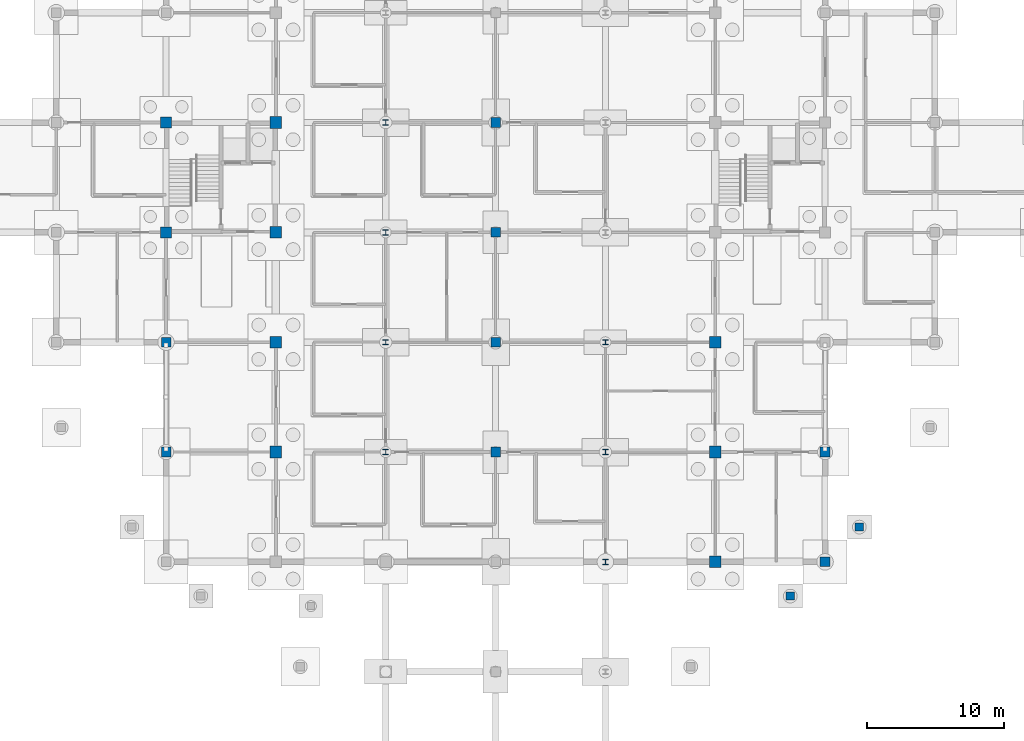
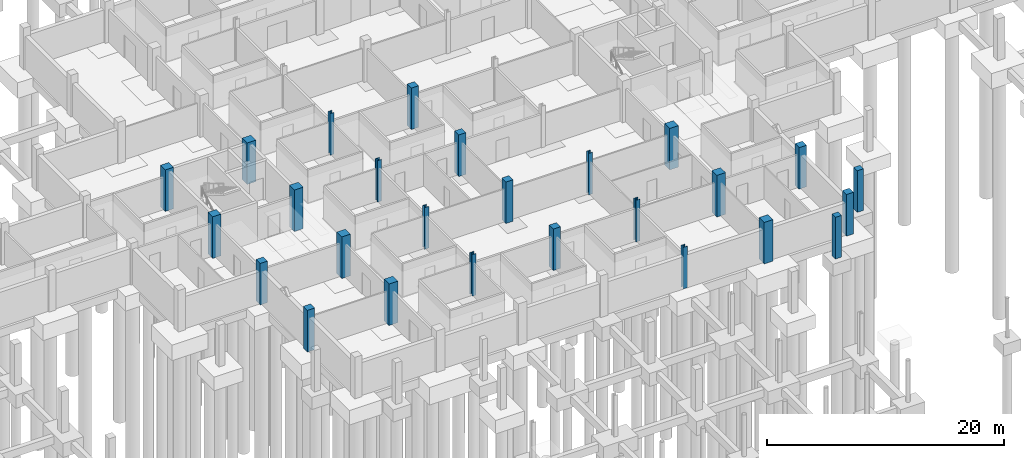
# One storey, part 17 of 48: 26 columns.
"""IFC4 building model written with IfcOpenShell, lengths in metres."""

from ifc_helpers import new_model, si_unit, derived_unit, direction, frame, origin, origin_2d, place, context, subcontext, project, spatial, rectangle, i_section, extrude, material, material_profile, profile_set, type_object, element, save


model = new_model("IFC4")

# Units and contexts
model_context = context("Model", 3, precision=1e-05, world=origin(), true_north=direction((0.0, 1.0)))
body_context = subcontext(model_context, "Body", "Model", "MODEL_VIEW")
ifc_project = project(units=[si_unit("LENGTHUNIT", "METRE"), si_unit("AREAUNIT", "SQUARE_METRE"), si_unit("VOLUMEUNIT", "CUBIC_METRE"), si_unit("PLANEANGLEUNIT", "RADIAN"), si_unit("MASSUNIT", "GRAM", prefix="KILO"), derived_unit("THERMALTRANSMITTANCEUNIT", [(si_unit("MASSUNIT", "GRAM", prefix="KILO"), 1), (si_unit("TIMEUNIT", "SECOND"), -3), (si_unit("THERMODYNAMICTEMPERATUREUNIT", "KELVIN"), -1)])], contexts=[model_context])

# Site, building, storey
site_placement = place(None, origin())
site = spatial("IfcSite", under=ifc_project, at=site_placement, CompositionType="ELEMENT")
building_placement = place(site_placement, origin())
building = spatial("IfcBuilding", under=site, at=building_placement, Name="Veyamyaing Civic Hall", CompositionType="ELEMENT")
storey_placement = place(building_placement, frame((0.0, 0.0, -4.2900390625)))
storey = spatial("IfcBuildingStorey", under=building, at=storey_placement, Name="B1", CompositionType="ELEMENT", Elevation=-4.2900390625)

# Columns
ifc_material_1 = material(Name="Concrete C45/55", Category="concrete")
ifc_material_profile_1 = material_profile(ifc_material_1, rectangle(XDim=0.85009765625, YDim=0.85009765625, at=origin_2d()), Name="RC-COL-850X850")
ifc_profile_set_1 = profile_set([ifc_material_profile_1], Name="Concrete C45/55")
column_type_1 = type_object("IfcColumnType", Name="C-01", PredefinedType="COLUMN", material=ifc_profile_set_1)
for number, where, z_axis, x_axis, name in (
    (1, (72.0, 32.0, 0.0), (0.0, 0.0, 1.0), (1.0, 0.0, 0.0), "Column C-01 10-E B1"),
    (2, (72.0, 40.0, 0.0), (0.0, 0.0, 1.0), (1.0, 0.0, 0.0), "Column C-01 10-F B1"),
    (3, (72.0, 48.0, 0.0), (0.0, 0.0, 1.0), (1.0, 0.0, 0.0), "Column C-01 10-G B1"),
    (4, (72.0, 56.0, 0.0), (0.0, 0.0, 1.0), (1.0, 0.0, 0.0), "Column C-01 10-H B1"),
    (5, (104.0, 24.0, 0.0), (0.0, 0.0, 1.0), (1.0, 0.0, 0.0), "Column C-01 14-D B1"),
    (6, (104.0, 32.0, 0.0), (0.0, 0.0, 1.0), (1.0, 0.0, 0.0), "Column C-01 14-E B1"),
    (7, (104.0, 40.0, 0.0), (0.0, 0.0, 1.0), (1.0, 0.0, 0.0), "Column C-01 14-F B1"),
):
    element("IfcColumn", number, at=place(storey_placement, frame(where, z_axis=z_axis, x_axis=x_axis)), inside=storey, type_object=column_type_1, Name=name, PredefinedType="COLUMN", context=body_context, shape_type="SweptSolid", body=[
        extrude(rectangle(XDim=0.85009765625, YDim=0.85009765625, at=origin_2d()), origin(), (0.0, 0.0, 1.0), 4.2900390625),
    ])
ifc_material_profile_2 = material_profile(ifc_material_1, rectangle(XDim=0.800048828125, YDim=0.800048828125, at=origin_2d()), Name="RC-COL-800X800")
ifc_profile_set_2 = profile_set([ifc_material_profile_2], Name="Concrete C45/55")
column_type_2 = type_object("IfcColumnType", Name="C-02", PredefinedType="COLUMN", material=ifc_profile_set_2)
for number, where, z_axis, x_axis, name in (
    (8, (64.0, 48.0, 0.0), (0.0, 0.0, 1.0), (1.0, 0.0, 0.0), "Column C-02 9-G B1"),
    (9, (64.0, 56.0, 0.0), (0.0, 0.0, 1.0), (1.0, 0.0, 0.0), "Column C-02 9-H B1"),
):
    element("IfcColumn", number, at=place(storey_placement, frame(where, z_axis=z_axis, x_axis=x_axis)), inside=storey, type_object=column_type_2, Name=name, PredefinedType="COLUMN", context=body_context, shape_type="SweptSolid", body=[
        extrude(rectangle(XDim=0.800048828125, YDim=0.800048828125, at=origin_2d()), origin(), (0.0, 0.0, 1.0), 4.2900390625),
    ])
ifc_material_profile_3 = material_profile(ifc_material_1, rectangle(XDim=0.699951171875, YDim=0.699951171875, at=origin_2d()), Name="RC-COL-700X700")
ifc_profile_set_3 = profile_set([ifc_material_profile_3], Name="Concrete C45/55")
column_type_3 = type_object("IfcColumnType", Name="C-04", PredefinedType="COLUMN", material=ifc_profile_set_3)
for number, where, z_axis, x_axis, name in (
    (10, (64.0, 32.0, 0.0), (0.0, 0.0, 1.0), (1.0, 0.0, 0.0), "Column C-04 9-E B1"),
    (11, (64.0, 40.0, 0.0), (0.0, 0.0, 1.0), (1.0, 0.0, 0.0), "Column C-04 9-F B1"),
    (12, (88.0, 32.0, 0.0), (0.0, 0.0, 1.0), (1.0, 0.0, 0.0), "Column C-04 12-E B1"),
    (13, (88.0, 40.0, 0.0), (0.0, 0.0, 1.0), (1.0, 0.0, 0.0), "Column C-04 12-F B1"),
    (14, (88.0, 48.0, 0.0), (0.0, 0.0, 1.0), (1.0, 0.0, 0.0), "Column C-04 12-G B1"),
    (15, (88.0, 56.0, 0.0), (0.0, 0.0, 1.0), (1.0, 0.0, 0.0), "Column C-04 12-H B1"),
    (16, (112.0, 24.0, 0.0), (0.0, 0.0, 1.0), (1.0, 0.0, 0.0), "Column C-04 15-D B1"),
    (17, (112.0, 32.0, 0.0), (0.0, 0.0, 1.0), (1.0, 0.0, 0.0), "Column C-04 15-E B1"),
):
    element("IfcColumn", number, at=place(storey_placement, frame(where, z_axis=z_axis, x_axis=x_axis)), inside=storey, type_object=column_type_3, Name=name, PredefinedType="COLUMN", context=body_context, shape_type="SweptSolid", body=[
        extrude(rectangle(XDim=0.699951171875, YDim=0.699951171875, at=origin_2d()), origin(), (0.0, 0.0, 1.0), 4.2900390625),
    ])
ifc_material_profile_4 = material_profile(ifc_material_1, rectangle(XDim=0.60009765625, YDim=0.60009765625, at=origin_2d()), Name="RC-COL-600X600")
ifc_profile_set_4 = profile_set([ifc_material_profile_4], Name="Concrete C45/55")
column_type_4 = type_object("IfcColumnType", Name="C-06", PredefinedType="COLUMN", material=ifc_profile_set_4)
for number, where, z_axis, x_axis, name in (
    (18, (109.466552734375, 21.5048828125, 0.0), (0.0, 0.0, 1.0), (1.0, 0.0, 0.0), "Curved corner column C-06 ARC-SE-05 B1"),
    (19, (114.4951171875, 26.533447265625, 0.0), (0.0, 0.0, 1.0), (1.0, 0.0, 0.0), "Curved corner column C-06 ARC-SE-09 B1"),
):
    element("IfcColumn", number, at=place(storey_placement, frame(where, z_axis=z_axis, x_axis=x_axis)), inside=storey, type_object=column_type_4, Name=name, PredefinedType="COLUMN", context=body_context, shape_type="SweptSolid", body=[
        extrude(rectangle(XDim=0.60009765625, YDim=0.60009765625, at=origin_2d()), origin(), (0.0, 0.0, 1.0), 4.2900390625),
    ])
ifc_material_2 = material(Name="Steel S355J2", Category="steel")
ifc_material_profile_5 = material_profile(ifc_material_2, i_section(OverallWidth=0.39794921875, OverallDepth=0.386962890625, WebThickness=0.02099609375, FlangeThickness=0.033203125, FilletRadius=0.014892578125, at=origin_2d()), Name="W360X262")
ifc_profile_set_5 = profile_set([ifc_material_profile_5], Name="Steel S355J2")
column_type_5 = type_object("IfcColumnType", Name="C-08", PredefinedType="COLUMN", material=ifc_profile_set_5)
for number, where, z_axis, x_axis, name in (
    (20, (80.0, 32.0, 0.0), (0.0, 0.0, 1.0), (1.0, 0.0, 0.0), "Column C-08 11-E B1"),
    (21, (80.0, 40.0, 0.0), (0.0, 0.0, 1.0), (1.0, 0.0, 0.0), "Column C-08 11-F B1"),
    (22, (80.0, 48.0, 0.0), (0.0, 0.0, 1.0), (1.0, 0.0, 0.0), "Column C-08 11-G B1"),
    (23, (80.0, 56.0, 0.0), (0.0, 0.0, 1.0), (1.0, 0.0, 0.0), "Column C-08 11-H B1"),
    (24, (96.0, 24.0, 0.0), (0.0, 0.0, 1.0), (1.0, 0.0, 0.0), "Column C-08 13-D B1"),
    (25, (96.0, 32.0, 0.0), (0.0, 0.0, 1.0), (1.0, 0.0, 0.0), "Column C-08 13-E B1"),
    (26, (96.0, 40.0, 0.0), (0.0, 0.0, 1.0), (1.0, 0.0, 0.0), "Column C-08 13-F B1"),
):
    element("IfcColumn", number, at=place(storey_placement, frame(where, z_axis=z_axis, x_axis=x_axis)), inside=storey, type_object=column_type_5, Name=name, PredefinedType="COLUMN", context=body_context, shape_type="SweptSolid", body=[
        extrude(i_section(OverallWidth=0.39794921875, OverallDepth=0.386962890625, WebThickness=0.02099609375, FlangeThickness=0.033203125, FilletRadius=0.014892578125, at=origin_2d()), origin(), (0.0, 0.0, 1.0), 4.2900390625),
    ])

save(model, "model.ifc")
